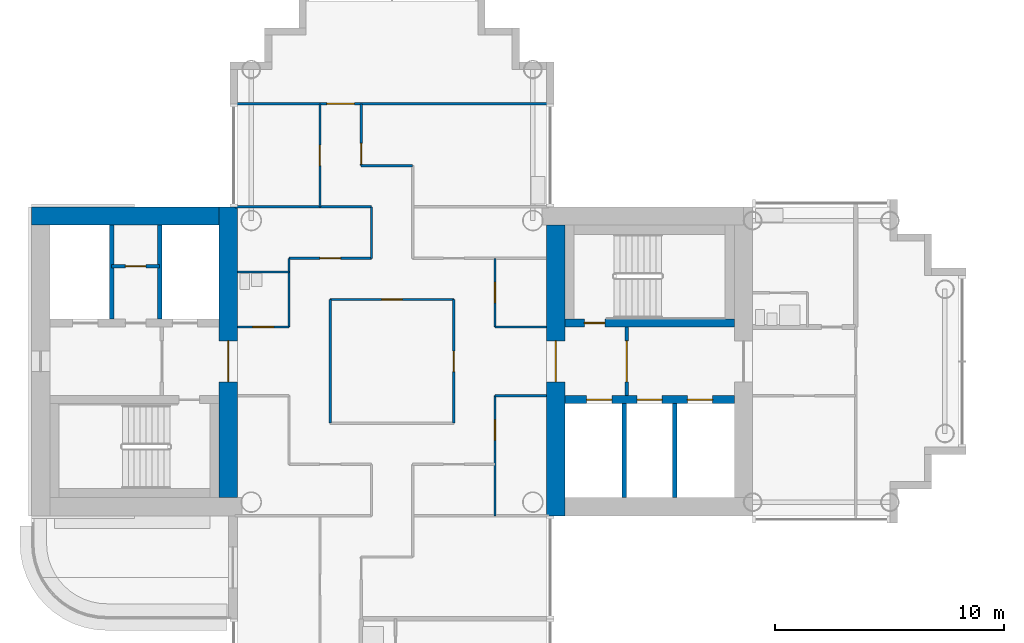
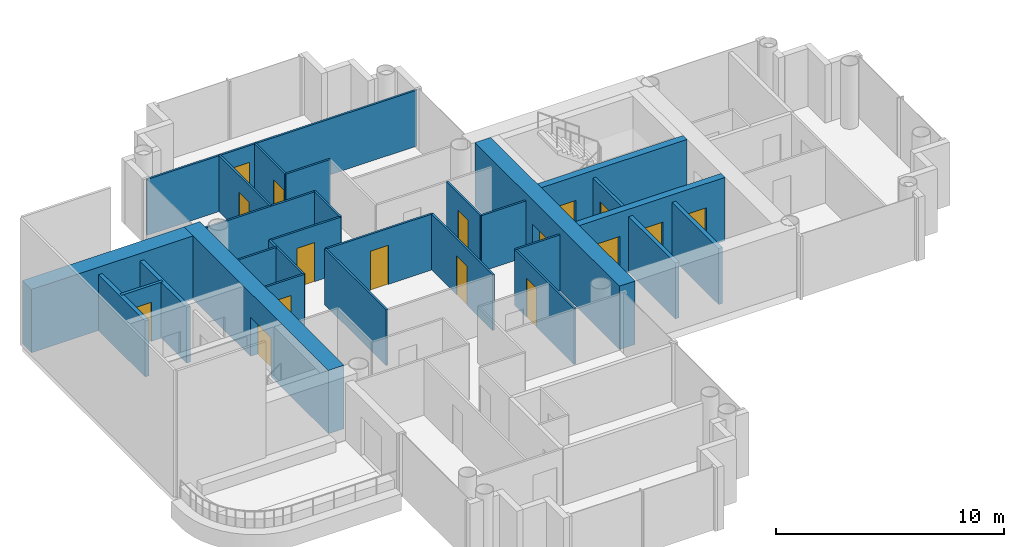
# One storey, part 8 of 20: 28 walls, 17 doors, 17 openings.
"""IFC4 building model written with IfcOpenShell, lengths in metres."""

from ifc_helpers import new_model, si_unit, direction, frame, frame_2d, origin, place, context, subcontext, project, spatial, rectangle, extrude, material, layer, layer_set, type_object, element, fill, save


model = new_model("IFC4")

# Units and contexts
model_context = context("Model", 3, precision=1e-05, world=origin(), true_north=direction((0.0, 1.0)))
body_context = subcontext(model_context, "Body", "Model", "MODEL_VIEW")
ifc_project = project(units=[si_unit("LENGTHUNIT", "METRE"), si_unit("AREAUNIT", "SQUARE_METRE"), si_unit("VOLUMEUNIT", "CUBIC_METRE"), si_unit("PLANEANGLEUNIT", "RADIAN"), si_unit("MASSUNIT", "GRAM", prefix="KILO")], contexts=[model_context])

# Site, building, storey
site_placement = place(None, origin())
site = spatial("IfcSite", under=ifc_project, at=site_placement, CompositionType="ELEMENT")
building_placement = place(site_placement, origin())
building = spatial("IfcBuilding", under=site, at=building_placement, Name="Ipe Terrace Towers", CompositionType="ELEMENT")
storey_placement = place(building_placement, frame((0.0, 0.0, 160.89990234375)))
storey = spatial("IfcBuildingStorey", under=building, at=storey_placement, Name="L44", CompositionType="ELEMENT", Elevation=160.89990234375)

# Wall
ifc_material_1 = material(Name="Gypsum board partition", Category="plasterboard")
ifc_layer_1 = layer(ifc_material_1, 0.10009765625)
ifc_layer_set_1 = layer_set([ifc_layer_1], Name="Gypsum board partition 100 mm")
wall_type_1 = type_object("IfcWallType", Name="Gypsum board partition 100 mm", PredefinedType="PARTITIONING", material=ifc_layer_set_1)
wall_1_placement = place(storey_placement, frame((-40.5, 1.5, 0.0), z_axis=(0.0, 0.0, 1.0), x_axis=(0.0, 1.0, 0.0)))
element("IfcWall", 1, at=wall_1_placement, inside=storey, type_object=wall_type_1, Name="Gypsum board partition T1 L44 W02", PredefinedType="PARTITIONING", context=body_context, shape_type="SweptSolid", body=[
    extrude(rectangle(XDim=3.0, YDim=0.10009765625, at=frame_2d((1.5, 0.0))), origin(), (0.0, 0.0, 1.0), 3.0),
])

# Wall, opening, door
wall_2_placement = place(storey_placement, frame((-39.14990234375, 6.75, 0.0), z_axis=(0.0, 0.0, 1.0), x_axis=(0.0, 1.0, 0.0)))
wall_2 = element("IfcWall", 2, at=wall_2_placement, inside=storey, type_object=wall_type_1, Name="Gypsum board partition T1 L44 W04", PredefinedType="PARTITIONING", context=body_context, shape_type="SweptSolid", body=[
    extrude(rectangle(XDim=4.5, YDim=0.10009765625, at=frame_2d((2.25, 0.0))), origin(), (0.0, 0.0, 1.0), 3.0),
])
opening_1_placement = place(wall_2_placement, frame((1.800048828125, 0.0, 0.0)))
opening_1 = element("IfcOpeningElement", 3, at=opening_1_placement, cuts=wall_2, Name="Opening T1-Z3C-10", PredefinedType="OPENING", context=body_context, shape_type="SweptSolid", body=[
    extrude(rectangle(XDim=0.89990234375, YDim=2.10009765625, at=frame_2d((0.449951171875, 1.050048828125))), frame((0.0, 0.06005859375, 0.0), z_axis=(0.0, -1.0, 0.0), x_axis=(1.0, 0.0, 0.0)), (0.0, 0.0, 1.0), 0.1201171875),
])
ifc_material_2 = material(Name="Timber door leaf", Category="wood")
door_type_1 = type_object("IfcDoorType", Name="Lounge door 900 x 2100", OperationType="NOTDEFINED", PredefinedType="DOOR", material=ifc_material_2)
door_1_placement = place(opening_1_placement, origin())
door_1 = element("IfcDoor", 4, at=door_1_placement, inside=storey, type_object=door_type_1, Name="Lounge door T1-Z3C-10", OperationType="SINGLE_SWING_LEFT", OverallHeight=2.10009765625, OverallWidth=0.89990234375, PredefinedType="DOOR", context=body_context, shape_type="SweptSolid", body=[
    extrude(rectangle(XDim=0.89990234375, YDim=2.10009765625, at=frame_2d((0.449951171875, 1.050048828125))), frame((0.0, 0.02490234375, 0.0), z_axis=(0.0, -1.0, 0.0), x_axis=(1.0, 0.0, 0.0)), (0.0, 0.0, 1.0), 0.050048828125),
])
fill(opening_1, door_1)

# Wall
wall_3_placement = place(storey_placement, frame((-38.699951171875, -2.699951171875, 0.0), z_axis=(0.0, 0.0, 1.0), x_axis=(0.0, 1.0, 0.0)))
element("IfcWall", 5, at=wall_3_placement, inside=storey, type_object=wall_type_1, Name="Gypsum board partition T1 L44 W05", PredefinedType="PARTITIONING", context=body_context, shape_type="SweptSolid", body=[
    extrude(rectangle(XDim=5.39990234375, YDim=0.10009765625, at=frame_2d((2.699951171875, 0.0))), origin(), (0.0, 0.0, 1.0), 3.0),
])

# Wall, opening, door
wall_4_placement = place(storey_placement, frame((-37.35009765625, 8.550048828125, 0.0), z_axis=(0.0, 0.0, 1.0), x_axis=(0.0, 1.0, 0.0)))
wall_4 = element("IfcWall", 6, at=wall_4_placement, inside=storey, type_object=wall_type_1, Name="Gypsum board partition T1 L44 W07", PredefinedType="PARTITIONING", context=body_context, shape_type="SweptSolid", body=[
    extrude(rectangle(XDim=2.699951171875, YDim=0.10009765625, at=frame_2d((1.35009765625, 0.0))), origin(), (0.0, 0.0, 1.0), 3.0),
])
opening_2_placement = place(wall_4_placement, frame((0.070068359375, 0.0, 0.0)))
opening_2 = element("IfcOpeningElement", 7, at=opening_2_placement, cuts=wall_4, Name="Opening T1-Z3C-11", PredefinedType="OPENING", context=body_context, shape_type="SweptSolid", body=[
    extrude(rectangle(XDim=0.89990234375, YDim=2.10009765625, at=frame_2d((0.449951171875, 1.050048828125))), frame((0.0, 0.06005859375, 0.0), z_axis=(0.0, -1.0, 0.0), x_axis=(1.0, 0.0, 0.0)), (0.0, 0.0, 1.0), 0.1201171875),
])
door_2_placement = place(opening_2_placement, origin())
door_2 = element("IfcDoor", 8, at=door_2_placement, inside=storey, type_object=door_type_1, Name="Lounge door T1-Z3C-11", OperationType="SINGLE_SWING_LEFT", OverallHeight=2.10009765625, OverallWidth=0.89990234375, PredefinedType="DOOR", context=body_context, shape_type="SweptSolid", body=[
    extrude(rectangle(XDim=0.89990234375, YDim=2.10009765625, at=frame_2d((0.449951171875, 1.050048828125))), frame((0.0, 0.02490234375, 0.0), z_axis=(0.0, -1.0, 0.0), x_axis=(1.0, 0.0, 0.0)), (0.0, 0.0, 1.0), 0.050048828125),
])
fill(opening_2, door_2)

# Wall
wall_5_placement = place(storey_placement, frame((-36.89990234375, 4.5, 0.0), z_axis=(0.0, 0.0, 1.0), x_axis=(0.0, 1.0, 0.0)))
element("IfcWall", 9, at=wall_5_placement, inside=storey, type_object=wall_type_1, Name="Gypsum board partition T1 L44 W10", PredefinedType="PARTITIONING", context=body_context, shape_type="SweptSolid", body=[
    extrude(rectangle(XDim=2.25, YDim=0.10009765625, at=frame_2d((1.125, 0.0))), origin(), (0.0, 0.0, 1.0), 3.0),
])

# Wall, opening, door
wall_6_placement = place(storey_placement, frame((-33.300048828125, -2.699951171875, 0.0), z_axis=(0.0, 0.0, 1.0), x_axis=(0.0, 1.0, 0.0)))
wall_6 = element("IfcWall", 10, at=wall_6_placement, inside=storey, type_object=wall_type_1, Name="Gypsum board partition T1 L44 W14", PredefinedType="PARTITIONING", context=body_context, shape_type="SweptSolid", body=[
    extrude(rectangle(XDim=5.39990234375, YDim=0.10009765625, at=frame_2d((2.699951171875, 0.0))), origin(), (0.0, 0.0, 1.0), 3.0),
])
opening_3_placement = place(wall_6_placement, frame((2.25, 0.0, 0.0)))
opening_3 = element("IfcOpeningElement", 11, at=opening_3_placement, cuts=wall_6, Name="Opening T1-Z3C-02", PredefinedType="OPENING", context=body_context, shape_type="SweptSolid", body=[
    extrude(rectangle(XDim=0.89990234375, YDim=2.10009765625, at=frame_2d((0.449951171875, 1.050048828125))), frame((0.0, 0.06005859375, 0.0), z_axis=(0.0, -1.0, 0.0), x_axis=(1.0, 0.0, 0.0)), (0.0, 0.0, 1.0), 0.1201171875),
])
door_3_placement = place(opening_3_placement, origin())
door_3 = element("IfcDoor", 12, at=door_3_placement, inside=storey, type_object=door_type_1, Name="Lounge door T1-Z3C-02", OperationType="SINGLE_SWING_LEFT", OverallHeight=2.10009765625, OverallWidth=0.89990234375, PredefinedType="DOOR", context=body_context, shape_type="SweptSolid", body=[
    extrude(rectangle(XDim=0.89990234375, YDim=2.10009765625, at=frame_2d((0.449951171875, 1.050048828125))), frame((0.0, 0.02490234375, 0.0), z_axis=(0.0, -1.0, 0.0), x_axis=(1.0, 0.0, 0.0)), (0.0, 0.0, 1.0), 0.050048828125),
])
fill(opening_3, door_3)

wall_7_placement = place(storey_placement, frame((-31.5, -6.75, 0.0), z_axis=(0.0, 0.0, 1.0), x_axis=(0.0, 1.0, 0.0)))
wall_7 = element("IfcWall", 13, at=wall_7_placement, inside=storey, type_object=wall_type_1, Name="Gypsum board partition T1 L44 W15", PredefinedType="PARTITIONING", context=body_context, shape_type="SweptSolid", body=[
    extrude(rectangle(XDim=5.25, YDim=0.10009765625, at=frame_2d((2.625, 0.0))), origin(), (0.0, 0.0, 1.0), 3.0),
])
opening_4_placement = place(wall_7_placement, frame((3.300048828125, 0.0, 0.0)))
opening_4 = element("IfcOpeningElement", 14, at=opening_4_placement, cuts=wall_7, Name="Opening T1-Z3C-09", PredefinedType="OPENING", context=body_context, shape_type="SweptSolid", body=[
    extrude(rectangle(XDim=0.89990234375, YDim=2.10009765625, at=frame_2d((0.449951171875, 1.050048828125))), frame((0.0, 0.06005859375, 0.0), z_axis=(0.0, -1.0, 0.0), x_axis=(1.0, 0.0, 0.0)), (0.0, 0.0, 1.0), 0.1201171875),
])
door_4_placement = place(opening_4_placement, origin())
door_4 = element("IfcDoor", 15, at=door_4_placement, inside=storey, type_object=door_type_1, Name="Lounge door T1-Z3C-09", OperationType="SINGLE_SWING_RIGHT", OverallHeight=2.10009765625, OverallWidth=0.89990234375, PredefinedType="DOOR", context=body_context, shape_type="SweptSolid", body=[
    extrude(rectangle(XDim=0.89990234375, YDim=2.10009765625, at=frame_2d((0.449951171875, 1.050048828125))), frame((0.0, 0.02490234375, 0.0), z_axis=(0.0, -1.0, 0.0), x_axis=(1.0, 0.0, 0.0)), (0.0, 0.0, 1.0), 0.050048828125),
])
fill(opening_4, door_4)

wall_8_placement = place(storey_placement, frame((-31.5, 1.5, 0.0), z_axis=(0.0, 0.0, 1.0), x_axis=(0.0, 1.0, 0.0)))
wall_8 = element("IfcWall", 16, at=wall_8_placement, inside=storey, type_object=wall_type_1, Name="Gypsum board partition T1 L44 W16", PredefinedType="PARTITIONING", context=body_context, shape_type="SweptSolid", body=[
    extrude(rectangle(XDim=3.0, YDim=0.10009765625, at=frame_2d((1.5, 0.0))), origin(), (0.0, 0.0, 1.0), 3.0),
])
opening_5_placement = place(wall_8_placement, frame((1.050048828125, 0.0, 0.0)))
opening_5 = element("IfcOpeningElement", 17, at=opening_5_placement, cuts=wall_8, Name="Opening T1-Z3C-05", PredefinedType="OPENING", context=body_context, shape_type="SweptSolid", body=[
    extrude(rectangle(XDim=0.89990234375, YDim=2.10009765625, at=frame_2d((0.449951171875, 1.050048828125))), frame((0.0, 0.06005859375, 0.0), z_axis=(0.0, -1.0, 0.0), x_axis=(1.0, 0.0, 0.0)), (0.0, 0.0, 1.0), 0.1201171875),
])
door_5_placement = place(opening_5_placement, origin())
door_5 = element("IfcDoor", 18, at=door_5_placement, inside=storey, type_object=door_type_1, Name="Lounge door T1-Z3C-05", OperationType="SINGLE_SWING_RIGHT", OverallHeight=2.10009765625, OverallWidth=0.89990234375, PredefinedType="DOOR", context=body_context, shape_type="SweptSolid", body=[
    extrude(rectangle(XDim=0.89990234375, YDim=2.10009765625, at=frame_2d((0.449951171875, 1.050048828125))), frame((0.0, 0.02490234375, 0.0), z_axis=(0.0, -1.0, 0.0), x_axis=(1.0, 0.0, 0.0)), (0.0, 0.0, 1.0), 0.050048828125),
])
fill(opening_5, door_5)

# Wall
wall_9_placement = place(storey_placement, frame((-31.5, -1.5, 0.0), z_axis=(0.0, 0.0, 1.0), x_axis=(1.0, 0.0, 0.0)))
element("IfcWall", 19, at=wall_9_placement, inside=storey, type_object=wall_type_1, Name="Gypsum board partition T1 L44 W31", PredefinedType="PARTITIONING", context=body_context, shape_type="SweptSolid", body=[
    extrude(rectangle(XDim=2.25, YDim=0.10009765625, at=frame_2d((1.125, 0.0))), origin(), (0.0, 0.0, 1.0), 3.0),
])

# Wall, opening, door
wall_10_placement = place(storey_placement, frame((-42.75, 1.5, 0.0), z_axis=(0.0, 0.0, 1.0), x_axis=(1.0, 0.0, 0.0)))
wall_10 = element("IfcWall", 20, at=wall_10_placement, inside=storey, type_object=wall_type_1, Name="Gypsum board partition T1 L44 W33", PredefinedType="PARTITIONING", context=body_context, shape_type="SweptSolid", body=[
    extrude(rectangle(XDim=2.25, YDim=0.10009765625, at=frame_2d((1.125, 0.0))), origin(), (0.0, 0.0, 1.0), 3.0),
])
opening_6_placement = place(wall_10_placement, frame((0.675048828125, 0.0, 0.0)))
opening_6 = element("IfcOpeningElement", 21, at=opening_6_placement, cuts=wall_10, Name="Opening T1-Z3C-03", PredefinedType="OPENING", context=body_context, shape_type="SweptSolid", body=[
    extrude(rectangle(XDim=0.89990234375, YDim=2.10009765625, at=frame_2d((0.449951171875, 1.050048828125))), frame((0.0, 0.06005859375, 0.0), z_axis=(0.0, -1.0, 0.0), x_axis=(1.0, 0.0, 0.0)), (0.0, 0.0, 1.0), 0.1201171875),
])
ifc_material_3 = material(Name="Timber door leaf", Category="wood")
door_type_2 = type_object("IfcDoorType", Name="Bathroom door 900 x 2100", OperationType="NOTDEFINED", PredefinedType="DOOR", material=ifc_material_3)
door_6_placement = place(opening_6_placement, origin())
door_6 = element("IfcDoor", 22, at=door_6_placement, inside=storey, type_object=door_type_2, Name="Bathroom door T1-Z3C-03", OperationType="SINGLE_SWING_LEFT", OverallHeight=2.10009765625, OverallWidth=0.89990234375, PredefinedType="DOOR", context=body_context, shape_type="SweptSolid", body=[
    extrude(rectangle(XDim=0.89990234375, YDim=2.10009765625, at=frame_2d((0.449951171875, 1.050048828125))), frame((0.0, 0.02490234375, 0.0), z_axis=(0.0, -1.0, 0.0), x_axis=(1.0, 0.0, 0.0)), (0.0, 0.0, 1.0), 0.050048828125),
])
fill(opening_6, door_6)

# Wall
wall_11_placement = place(storey_placement, frame((-31.5, 1.5, 0.0), z_axis=(0.0, 0.0, 1.0), x_axis=(1.0, 0.0, 0.0)))
element("IfcWall", 23, at=wall_11_placement, inside=storey, type_object=wall_type_1, Name="Gypsum board partition T1 L44 W34", PredefinedType="PARTITIONING", context=body_context, shape_type="SweptSolid", body=[
    extrude(rectangle(XDim=2.25, YDim=0.10009765625, at=frame_2d((1.125, 0.0))), origin(), (0.0, 0.0, 1.0), 3.0),
])

# Wall, opening, door
wall_12_placement = place(storey_placement, frame((-38.699951171875, 2.699951171875, 0.0), z_axis=(0.0, 0.0, 1.0), x_axis=(1.0, 0.0, 0.0)))
wall_12 = element("IfcWall", 24, at=wall_12_placement, inside=storey, type_object=wall_type_1, Name="Gypsum board partition T1 L44 W36", PredefinedType="PARTITIONING", context=body_context, shape_type="SweptSolid", body=[
    extrude(rectangle(XDim=5.39990234375, YDim=0.10009765625, at=frame_2d((2.699951171875, 0.0))), origin(), (0.0, 0.0, 1.0), 3.0),
])
opening_7_placement = place(wall_12_placement, frame((2.25, 0.0, 0.0)))
opening_7 = element("IfcOpeningElement", 25, at=opening_7_placement, cuts=wall_12, Name="Opening T1-Z3C-01", PredefinedType="OPENING", context=body_context, shape_type="SweptSolid", body=[
    extrude(rectangle(XDim=0.89990234375, YDim=2.10009765625, at=frame_2d((0.449951171875, 1.050048828125))), frame((0.0, 0.06005859375, 0.0), z_axis=(0.0, -1.0, 0.0), x_axis=(1.0, 0.0, 0.0)), (0.0, 0.0, 1.0), 0.1201171875),
])
door_7_placement = place(opening_7_placement, origin())
door_7 = element("IfcDoor", 26, at=door_7_placement, inside=storey, type_object=door_type_1, Name="Lounge door T1-Z3C-01", OperationType="SINGLE_SWING_RIGHT", OverallHeight=2.10009765625, OverallWidth=0.89990234375, PredefinedType="DOOR", context=body_context, shape_type="SweptSolid", body=[
    extrude(rectangle(XDim=0.89990234375, YDim=2.10009765625, at=frame_2d((0.449951171875, 1.050048828125))), frame((0.0, 0.02490234375, 0.0), z_axis=(0.0, -1.0, 0.0), x_axis=(1.0, 0.0, 0.0)), (0.0, 0.0, 1.0), 0.050048828125),
])
fill(opening_7, door_7)

# Wall
wall_13_placement = place(storey_placement, frame((-42.75, 3.89990234375, 0.0), z_axis=(0.0, 0.0, 1.0), x_axis=(1.0, 0.0, 0.0)))
element("IfcWall", 27, at=wall_13_placement, inside=storey, type_object=wall_type_1, Name="Gypsum board partition T1 L44 W38", PredefinedType="PARTITIONING", context=body_context, shape_type="SweptSolid", body=[
    extrude(rectangle(XDim=2.25, YDim=0.10009765625, at=frame_2d((1.125, 0.0))), origin(), (0.0, 0.0, 1.0), 3.0),
])

# Wall, opening, door
wall_14_placement = place(storey_placement, frame((-40.5, 4.5, 0.0), z_axis=(0.0, 0.0, 1.0), x_axis=(1.0, 0.0, 0.0)))
wall_14 = element("IfcWall", 28, at=wall_14_placement, inside=storey, type_object=wall_type_1, Name="Gypsum board partition T1 L44 W39", PredefinedType="PARTITIONING", context=body_context, shape_type="SweptSolid", body=[
    extrude(rectangle(XDim=3.60009765625, YDim=0.10009765625, at=frame_2d((1.800048828125, 0.0))), origin(), (0.0, 0.0, 1.0), 3.0),
])
opening_8_placement = place(wall_14_placement, frame((1.35009765625, 0.0, 0.0)))
opening_8 = element("IfcOpeningElement", 29, at=opening_8_placement, cuts=wall_14, Name="Opening T1-Z3C-06", PredefinedType="OPENING", context=body_context, shape_type="SweptSolid", body=[
    extrude(rectangle(XDim=0.89990234375, YDim=2.10009765625, at=frame_2d((0.449951171875, 1.050048828125))), frame((0.0, 0.06005859375, 0.0), z_axis=(0.0, -1.0, 0.0), x_axis=(1.0, 0.0, 0.0)), (0.0, 0.0, 1.0), 0.1201171875),
])
door_8_placement = place(opening_8_placement, origin())
door_8 = element("IfcDoor", 30, at=door_8_placement, inside=storey, type_object=door_type_1, Name="Lounge door T1-Z3C-06", OperationType="SINGLE_SWING_RIGHT", OverallHeight=2.10009765625, OverallWidth=0.89990234375, PredefinedType="DOOR", context=body_context, shape_type="SweptSolid", body=[
    extrude(rectangle(XDim=0.89990234375, YDim=2.10009765625, at=frame_2d((0.449951171875, 1.050048828125))), frame((0.0, 0.02490234375, 0.0), z_axis=(0.0, -1.0, 0.0), x_axis=(1.0, 0.0, 0.0)), (0.0, 0.0, 1.0), 0.050048828125),
])
fill(opening_8, door_8)

# Walls
wall_15_placement = place(storey_placement, frame((-42.85009765625, 6.75, 0.0), z_axis=(0.0, 0.0, 1.0), x_axis=(1.0, 0.0, 0.0)))
element("IfcWall", 31, at=wall_15_placement, inside=storey, type_object=wall_type_1, Name="Gypsum board partition T1 L44 W41", PredefinedType="PARTITIONING", context=body_context, shape_type="SweptSolid", body=[
    extrude(rectangle(XDim=5.9501953125, YDim=0.10009765625, at=frame_2d((2.97509765625, 0.0))), origin(), (0.0, 0.0, 1.0), 3.0),
])
wall_16_placement = place(storey_placement, frame((-37.35009765625, 8.550048828125, 0.0), z_axis=(0.0, 0.0, 1.0), x_axis=(1.0, 0.0, 0.0)))
element("IfcWall", 32, at=wall_16_placement, inside=storey, type_object=wall_type_1, Name="Gypsum board partition T1 L44 W43", PredefinedType="PARTITIONING", context=body_context, shape_type="SweptSolid", body=[
    extrude(rectangle(XDim=2.25, YDim=0.10009765625, at=frame_2d((1.125, 0.0))), origin(), (0.0, 0.0, 1.0), 3.0),
])

# Wall, opening, door
wall_17_placement = place(storey_placement, frame((-42.85009765625, 11.25, 0.0), z_axis=(0.0, 0.0, 1.0), x_axis=(1.0, 0.0, 0.0)))
wall_17 = element("IfcWall", 33, at=wall_17_placement, inside=storey, type_object=wall_type_1, Name="Gypsum board partition T1 L44 W44", PredefinedType="PARTITIONING", context=body_context, shape_type="SweptSolid", body=[
    extrude(rectangle(XDim=13.7001953125, YDim=0.10009765625, at=frame_2d((6.85009765625, 0.0))), origin(), (0.0, 0.0, 1.0), 3.0),
])
opening_9_placement = place(wall_17_placement, frame((4.0, 0.0, 0.0)))
opening_9 = element("IfcOpeningElement", 34, at=opening_9_placement, cuts=wall_17, Name="Opening T1-Z3C-12", PredefinedType="OPENING", context=body_context, shape_type="SweptSolid", body=[
    extrude(rectangle(XDim=1.199951171875, YDim=2.10009765625, at=frame_2d((0.60009765625, 1.050048828125))), frame((0.0, 0.06005859375, 0.0), z_axis=(0.0, -1.0, 0.0), x_axis=(1.0, 0.0, 0.0)), (0.0, 0.0, 1.0), 0.1201171875),
])
ifc_material_4 = material(Name="Timber door leaf", Category="wood")
door_type_3 = type_object("IfcDoorType", Name="Lounge door 1200 x 2100", OperationType="NOTDEFINED", PredefinedType="DOOR", material=ifc_material_4)
door_9_placement = place(opening_9_placement, origin())
door_9 = element("IfcDoor", 35, at=door_9_placement, inside=storey, type_object=door_type_3, Name="Lounge door T1-Z3C-12", OperationType="SINGLE_SWING_RIGHT", OverallHeight=2.10009765625, OverallWidth=1.199951171875, PredefinedType="DOOR", context=body_context, shape_type="SweptSolid", body=[
    extrude(rectangle(XDim=1.199951171875, YDim=2.10009765625, at=frame_2d((0.60009765625, 1.050048828125))), frame((0.0, 0.02490234375, 0.0), z_axis=(0.0, -1.0, 0.0), x_axis=(1.0, 0.0, 0.0)), (0.0, 0.0, 1.0), 0.050048828125),
])
fill(opening_9, door_9)

ifc_material_5 = material(Name="Gypsum board partition", Category="plasterboard")
ifc_layer_2 = layer(ifc_material_5, 0.14990234375)
ifc_layer_set_2 = layer_set([ifc_layer_2], Name="Gypsum board partition 150 mm")
wall_type_2 = type_object("IfcWallType", Name="Gypsum board partition 150 mm", PredefinedType="PARTITIONING", material=ifc_layer_set_2)
wall_18_placement = place(storey_placement, frame((-25.75, -1.5, 0.0), z_axis=(0.0, 0.0, 1.0), x_axis=(0.0, 1.0, 0.0)))
wall_18 = element("IfcWall", 36, at=wall_18_placement, inside=storey, type_object=wall_type_2, Name="Gypsum board partition T1 L44 t1c1-lobby-wall", PredefinedType="PARTITIONING", context=body_context, shape_type="SweptSolid", body=[
    extrude(rectangle(XDim=3.0, YDim=0.14990234375, at=frame_2d((1.5, 0.0))), origin(), (0.0, 0.0, 1.0), 3.0),
])
opening_10_placement = place(wall_18_placement, frame((0.60009765625, 0.0, 0.0)))
opening_10 = element("IfcOpeningElement", 37, at=opening_10_placement, cuts=wall_18, Name="Opening T1C1-VD", PredefinedType="OPENING", context=body_context, shape_type="SweptSolid", body=[
    extrude(rectangle(XDim=1.800048828125, YDim=2.10009765625, at=frame_2d((0.89990234375, 1.050048828125))), frame((0.0, 0.0849609375, 0.0), z_axis=(0.0, -1.0, 0.0), x_axis=(1.0, 0.0, 0.0)), (0.0, 0.0, 1.0), 0.169921875),
])
ifc_material_6 = material(Name="Fire-rated timber door leaf", Category="wood")
door_type_4 = type_object("IfcDoorType", Name="Lobby door 1800 x 2100 FD60", OperationType="NOTDEFINED", PredefinedType="DOOR", material=ifc_material_6)
door_10_placement = place(opening_10_placement, origin())
door_10 = element("IfcDoor", 38, at=door_10_placement, inside=storey, type_object=door_type_4, Name="Lobby door T1C1-VD", OperationType="SINGLE_SWING_LEFT", OverallHeight=2.10009765625, OverallWidth=1.800048828125, PredefinedType="DOOR", context=body_context, shape_type="SweptSolid", body=[
    extrude(rectangle(XDim=1.800048828125, YDim=2.10009765625, at=frame_2d((0.89990234375, 1.050048828125))), frame((0.0, 0.02490234375, 0.0), z_axis=(0.0, -1.0, 0.0), x_axis=(1.0, 0.0, 0.0)), (0.0, 0.0, 1.0), 0.050048828125),
])
fill(opening_10, door_10)

wall_19_placement = place(storey_placement, frame((-46.14990234375, 4.14990234375, 0.0), z_axis=(0.0, 0.0, 1.0), x_axis=(-1.0, 0.0, 0.0)))
wall_19 = element("IfcWall", 39, at=wall_19_placement, inside=storey, type_object=wall_type_2, Name="Gypsum board partition T1 L44 t1c2-q-back", PredefinedType="PARTITIONING", context=body_context, shape_type="SweptSolid", body=[
    extrude(rectangle(XDim=2.10009765625, YDim=0.14990234375, at=frame_2d((1.050048828125, 0.0))), origin(), (0.0, 0.0, 1.0), 3.0),
])
opening_11_placement = place(wall_19_placement, frame((0.60009765625, 0.0, 0.0)))
opening_11 = element("IfcOpeningElement", 40, at=opening_11_placement, cuts=wall_19, Name="Opening T1C2-RB", PredefinedType="OPENING", context=body_context, shape_type="SweptSolid", body=[
    extrude(rectangle(XDim=0.89990234375, YDim=2.10009765625, at=frame_2d((0.449951171875, 1.050048828125))), frame((0.0, 0.0849609375, 0.0), z_axis=(0.0, -1.0, 0.0), x_axis=(1.0, 0.0, 0.0)), (0.0, 0.0, 1.0), 0.169921875),
])
ifc_material_7 = material(Name="Fire-rated timber door leaf", Category="wood")
door_type_5 = type_object("IfcDoorType", Name="Service door 900 x 2100 FD60", OperationType="NOTDEFINED", PredefinedType="DOOR", material=ifc_material_7)
door_11_placement = place(opening_11_placement, origin())
door_11 = element("IfcDoor", 41, at=door_11_placement, inside=storey, type_object=door_type_5, Name="Service door T1C2-RB", OperationType="SINGLE_SWING_LEFT", OverallHeight=2.10009765625, OverallWidth=0.89990234375, PredefinedType="DOOR", context=body_context, shape_type="SweptSolid", body=[
    extrude(rectangle(XDim=0.89990234375, YDim=2.10009765625, at=frame_2d((0.449951171875, 1.050048828125))), frame((0.0, 0.02490234375, 0.0), z_axis=(0.0, -1.0, 0.0), x_axis=(1.0, 0.0, 0.0)), (0.0, 0.0, 1.0), 0.050048828125),
])
fill(opening_11, door_11)

# Walls
ifc_material_8 = material(Name="Gypsum board party wall", Category="plasterboard")
ifc_layer_3 = layer(ifc_material_8, 0.199951171875)
ifc_layer_set_3 = layer_set([ifc_layer_3], Name="Gypsum board party wall 200 mm")
wall_type_3 = type_object("IfcWallType", Name="Gypsum board party wall 200 mm", PredefinedType="SOLIDWALL", material=ifc_layer_set_3)
for number, where, z_axis, x_axis, name in (
    (42, (-25.85009765625, -5.949951171875, 0.0), (0.0, 0.0, 1.0), (0.0, 1.0, 0.0), "Gypsum board party wall T1 L44 t1c1-shaft-div1"),
    (43, (-23.64990234375, -5.949951171875, 0.0), (0.0, 0.0, 1.0), (0.0, 1.0, 0.0), "Gypsum board party wall T1 L44 t1c1-shaft-div2"),
    (44, (-48.25, 5.949951171875, 0.0), (0.0, 0.0, 1.0), (0.0, -1.0, 0.0), "Gypsum board party wall T1 L44 t1c2-shaft-div2"),
    (45, (-46.14990234375, 5.949951171875, 0.0), (0.0, 0.0, 1.0), (0.0, -1.0, 0.0), "Gypsum board party wall T1 L44 t1c2-shaft-div1"),
):
    element("IfcWall", number, at=place(storey_placement, frame(where, z_axis=z_axis, x_axis=x_axis)), inside=storey, type_object=wall_type_3, Name=name, PredefinedType="SOLIDWALL", context=body_context, shape_type="SweptSolid", body=[
        extrude(rectangle(XDim=4.099853515625, YDim=0.199951171875, at=frame_2d((2.0498046875, 0.0))), origin(), (0.0, 0.0, 1.0), 3.0),
    ])

# Wall, openings, doors
ifc_material_9 = material(Name="Concrete C50/60", Category="concrete")
ifc_layer_4 = layer(ifc_material_9, 0.35009765625)
ifc_layer_set_4 = layer_set([ifc_layer_4], Name="RW350 CORE SPINE WALL 350 C50-60")
wall_type_4 = type_object("IfcWallType", Name="RW350 CORE SPINE WALL 350 C50-60", PredefinedType="SHEAR", material=ifc_layer_set_4)
wall_20_placement = place(storey_placement, frame((-28.449951171875, -1.675048828125, 0.0), z_axis=(0.0, 0.0, 1.0), x_axis=(1.0, 0.0, 0.0)))
wall_20 = element("IfcWall", 46, at=wall_20_placement, inside=storey, type_object=wall_type_4, Name="Core spine wall T1-C1-Z3-SW1", PredefinedType="SHEAR", context=body_context, shape_type="SweptSolid", body=[
    extrude(rectangle(XDim=7.39990234375, YDim=0.35009765625, at=frame_2d((3.699951171875, 0.0))), origin(), (0.0, 0.0, 1.0), 3.400146484375),
])
opening_12_placement = place(wall_20_placement, frame((0.949951171875, 0.0, 0.0)))
opening_12 = element("IfcOpeningElement", 47, at=opening_12_placement, cuts=wall_20, Name="Opening T1C1-LD1", PredefinedType="OPENING", context=body_context, shape_type="SweptSolid", body=[
    extrude(rectangle(XDim=1.10009765625, YDim=2.10009765625, at=frame_2d((0.550048828125, 1.050048828125))), frame((0.0, 0.18505859375, 0.0), z_axis=(0.0, -1.0, 0.0), x_axis=(1.0, 0.0, 0.0)), (0.0, 0.0, 1.0), 0.3701171875),
])
opening_13_placement = place(wall_20_placement, frame((3.14990234375, 0.0, 0.0)))
opening_13 = element("IfcOpeningElement", 48, at=opening_13_placement, cuts=wall_20, Name="Opening T1C1-LD2", PredefinedType="OPENING", context=body_context, shape_type="SweptSolid", body=[
    extrude(rectangle(XDim=1.10009765625, YDim=2.10009765625, at=frame_2d((0.550048828125, 1.050048828125))), frame((0.0, 0.18505859375, 0.0), z_axis=(0.0, -1.0, 0.0), x_axis=(1.0, 0.0, 0.0)), (0.0, 0.0, 1.0), 0.3701171875),
])
opening_14_placement = place(wall_20_placement, frame((5.35009765625, 0.0, 0.0)))
opening_14 = element("IfcOpeningElement", 49, at=opening_14_placement, cuts=wall_20, Name="Opening T1C1-LD3", PredefinedType="OPENING", context=body_context, shape_type="SweptSolid", body=[
    extrude(rectangle(XDim=1.10009765625, YDim=2.10009765625, at=frame_2d((0.550048828125, 1.050048828125))), frame((0.0, 0.18505859375, 0.0), z_axis=(0.0, -1.0, 0.0), x_axis=(1.0, 0.0, 0.0)), (0.0, 0.0, 1.0), 0.3701171875),
])
ifc_material_10 = material(Name="Fire-rated timber door leaf", Category="wood")
door_type_6 = type_object("IfcDoorType", Name="Sliding door 1100 x 2100 FD60", OperationType="SLIDING_TO_LEFT", PredefinedType="DOOR", material=ifc_material_10)
door_12_placement = place(opening_12_placement, origin())
door_12 = element("IfcDoor", 50, at=door_12_placement, inside=storey, type_object=door_type_6, Name="Sliding door T1C1-LD1", OperationType="SLIDING_TO_LEFT", OverallHeight=2.10009765625, OverallWidth=1.10009765625, PredefinedType="DOOR", context=body_context, shape_type="SweptSolid", body=[
    extrude(rectangle(XDim=1.10009765625, YDim=2.10009765625, at=frame_2d((0.550048828125, 1.050048828125))), frame((0.0, 0.02490234375, 0.0), z_axis=(0.0, -1.0, 0.0), x_axis=(1.0, 0.0, 0.0)), (0.0, 0.0, 1.0), 0.050048828125),
])
fill(opening_12, door_12)
door_13_placement = place(opening_13_placement, origin())
door_13 = element("IfcDoor", 51, at=door_13_placement, inside=storey, type_object=door_type_6, Name="Sliding door T1C1-LD2", OperationType="SLIDING_TO_LEFT", OverallHeight=2.10009765625, OverallWidth=1.10009765625, PredefinedType="DOOR", context=body_context, shape_type="SweptSolid", body=[
    extrude(rectangle(XDim=1.10009765625, YDim=2.10009765625, at=frame_2d((0.550048828125, 1.050048828125))), frame((0.0, 0.02490234375, 0.0), z_axis=(0.0, -1.0, 0.0), x_axis=(1.0, 0.0, 0.0)), (0.0, 0.0, 1.0), 0.050048828125),
])
fill(opening_13, door_13)
door_14_placement = place(opening_14_placement, origin())
door_14 = element("IfcDoor", 52, at=door_14_placement, inside=storey, type_object=door_type_6, Name="Sliding door T1C1-LD3", OperationType="SLIDING_TO_LEFT", OverallHeight=2.10009765625, OverallWidth=1.10009765625, PredefinedType="DOOR", context=body_context, shape_type="SweptSolid", body=[
    extrude(rectangle(XDim=1.10009765625, YDim=2.10009765625, at=frame_2d((0.550048828125, 1.050048828125))), frame((0.0, 0.02490234375, 0.0), z_axis=(0.0, -1.0, 0.0), x_axis=(1.0, 0.0, 0.0)), (0.0, 0.0, 1.0), 0.050048828125),
])
fill(opening_14, door_14)

# Wall, opening, door
wall_21_placement = place(storey_placement, frame((-28.449951171875, 1.675048828125, 0.0), z_axis=(0.0, 0.0, 1.0), x_axis=(1.0, 0.0, 0.0)))
wall_21 = element("IfcWall", 53, at=wall_21_placement, inside=storey, type_object=wall_type_4, Name="Core spine wall T1-C1-Z3-SW2", PredefinedType="SHEAR", context=body_context, shape_type="SweptSolid", body=[
    extrude(rectangle(XDim=7.39990234375, YDim=0.35009765625, at=frame_2d((3.699951171875, 0.0))), origin(), (0.0, 0.0, 1.0), 3.400146484375),
])
opening_15_placement = place(wall_21_placement, frame((0.85009765625, 0.0, 0.0)))
opening_15 = element("IfcOpeningElement", 54, at=opening_15_placement, cuts=wall_21, Name="Opening T1C1-SD", PredefinedType="OPENING", context=body_context, shape_type="SweptSolid", body=[
    extrude(rectangle(XDim=0.89990234375, YDim=2.10009765625, at=frame_2d((0.449951171875, 1.050048828125))), frame((0.0, 0.18505859375, 0.0), z_axis=(0.0, -1.0, 0.0), x_axis=(1.0, 0.0, 0.0)), (0.0, 0.0, 1.0), 0.3701171875),
])
ifc_material_11 = material(Name="Fire-rated timber door leaf", Category="wood")
door_type_7 = type_object("IfcDoorType", Name="Stair door 900 x 2100 FD60", OperationType="NOTDEFINED", PredefinedType="DOOR", material=ifc_material_11)
door_15_placement = place(opening_15_placement, origin())
door_15 = element("IfcDoor", 55, at=door_15_placement, inside=storey, type_object=door_type_7, Name="Stair door T1C1-SD", OperationType="SINGLE_SWING_LEFT", OverallHeight=2.10009765625, OverallWidth=0.89990234375, PredefinedType="DOOR", context=body_context, shape_type="SweptSolid", body=[
    extrude(rectangle(XDim=0.89990234375, YDim=2.10009765625, at=frame_2d((0.449951171875, 1.050048828125))), frame((0.0, 0.02490234375, 0.0), z_axis=(0.0, -1.0, 0.0), x_axis=(1.0, 0.0, 0.0)), (0.0, 0.0, 1.0), 0.050048828125),
])
fill(opening_15, door_15)

ifc_material_12 = material(Name="Concrete C50/60", Category="concrete")
ifc_layer_5 = layer(ifc_material_12, 0.800048828125)
ifc_layer_set_5 = layer_set([ifc_layer_5], Name="RW800 CORE WALL 800 C50-60")
wall_type_5 = type_object("IfcWallType", Name="RW800 CORE WALL 800 C50-60", PredefinedType="SHEAR", material=ifc_layer_set_5)
wall_22_placement = place(storey_placement, frame((-28.85009765625, 5.949951171875, 0.0), z_axis=(0.0, 0.0, 1.0), x_axis=(0.0, -1.0, 0.0)))
wall_22 = element("IfcWall", 56, at=wall_22_placement, inside=storey, type_object=wall_type_5, Name="Core wall T1-C1-Z3-W04", PredefinedType="SHEAR", context=body_context, shape_type="SweptSolid", body=[
    extrude(rectangle(XDim=12.699951171875, YDim=0.800048828125, at=frame_2d((6.35009765625, 0.0))), origin(), (0.0, 0.0, 1.0), 3.400146484375),
])
opening_16_placement = place(wall_22_placement, frame((5.050048828125, 0.0, 0.0)))
opening_16 = element("IfcOpeningElement", 57, at=opening_16_placement, cuts=wall_22, Name="Opening T1C1-ND", PredefinedType="OPENING", context=body_context, shape_type="SweptSolid", body=[
    extrude(rectangle(XDim=1.800048828125, YDim=2.10009765625, at=frame_2d((0.89990234375, 1.050048828125))), frame((0.0, 0.41015625, 0.0), z_axis=(0.0, -1.0, 0.0), x_axis=(1.0, 0.0, 0.0)), (0.0, 0.0, 1.0), 0.820068359375),
])
ifc_material_13 = material(Name="Fire-rated timber door leaf", Category="wood")
door_type_8 = type_object("IfcDoorType", Name="Fire door 1800 x 2100 FD30S", OperationType="NOTDEFINED", PredefinedType="DOOR", material=ifc_material_13)
door_16_placement = place(opening_16_placement, origin())
door_16 = element("IfcDoor", 58, at=door_16_placement, inside=storey, type_object=door_type_8, Name="Fire door T1C1-ND", OperationType="SINGLE_SWING_LEFT", OverallHeight=2.10009765625, OverallWidth=1.800048828125, PredefinedType="DOOR", context=body_context, shape_type="SweptSolid", body=[
    extrude(rectangle(XDim=1.800048828125, YDim=2.10009765625, at=frame_2d((0.89990234375, 1.050048828125))), frame((0.0, 0.02490234375, 0.0), z_axis=(0.0, -1.0, 0.0), x_axis=(1.0, 0.0, 0.0)), (0.0, 0.0, 1.0), 0.050048828125),
])
fill(opening_16, door_16)

wall_23_placement = place(storey_placement, frame((-43.14990234375, -5.949951171875, 0.0), z_axis=(0.0, 0.0, 1.0), x_axis=(0.0, 1.0, 0.0)))
wall_23 = element("IfcWall", 59, at=wall_23_placement, inside=storey, type_object=wall_type_5, Name="Core wall T1-C2-Z3-W02", PredefinedType="SHEAR", context=body_context, shape_type="SweptSolid", body=[
    extrude(rectangle(XDim=12.699951171875, YDim=0.800048828125, at=frame_2d((6.35009765625, 0.0))), origin(), (0.0, 0.0, 1.0), 3.400146484375),
])
opening_17_placement = place(wall_23_placement, frame((5.050048828125, 0.0, 0.0)))
opening_17 = element("IfcOpeningElement", 60, at=opening_17_placement, cuts=wall_23, Name="Opening T1C2-ND", PredefinedType="OPENING", context=body_context, shape_type="SweptSolid", body=[
    extrude(rectangle(XDim=1.800048828125, YDim=2.10009765625, at=frame_2d((0.89990234375, 1.050048828125))), frame((0.0, 0.41015625, 0.0), z_axis=(0.0, -1.0, 0.0), x_axis=(1.0, 0.0, 0.0)), (0.0, 0.0, 1.0), 0.820068359375),
])
door_17_placement = place(opening_17_placement, origin())
door_17 = element("IfcDoor", 61, at=door_17_placement, inside=storey, type_object=door_type_8, Name="Fire door T1C2-ND", OperationType="SINGLE_SWING_LEFT", OverallHeight=2.10009765625, OverallWidth=1.800048828125, PredefinedType="DOOR", context=body_context, shape_type="SweptSolid", body=[
    extrude(rectangle(XDim=1.800048828125, YDim=2.10009765625, at=frame_2d((0.89990234375, 1.050048828125))), frame((0.0, 0.02490234375, 0.0), z_axis=(0.0, -1.0, 0.0), x_axis=(1.0, 0.0, 0.0)), (0.0, 0.0, 1.0), 0.050048828125),
])
fill(opening_17, door_17)

# Wall
wall_24_placement = place(storey_placement, frame((-43.550048828125, 6.35009765625, 0.0), z_axis=(0.0, 0.0, 1.0), x_axis=(-1.0, 0.0, 0.0)))
element("IfcWall", 62, at=wall_24_placement, inside=storey, type_object=wall_type_5, Name="Core wall T1-C2-Z3-W03", PredefinedType="SHEAR", context=body_context, shape_type="SweptSolid", body=[
    extrude(rectangle(XDim=8.199951171875, YDim=0.800048828125, at=frame_2d((4.10009765625, 0.0))), origin(), (0.0, 0.0, 1.0), 3.400146484375),
])

save(model, "model.ifc")
